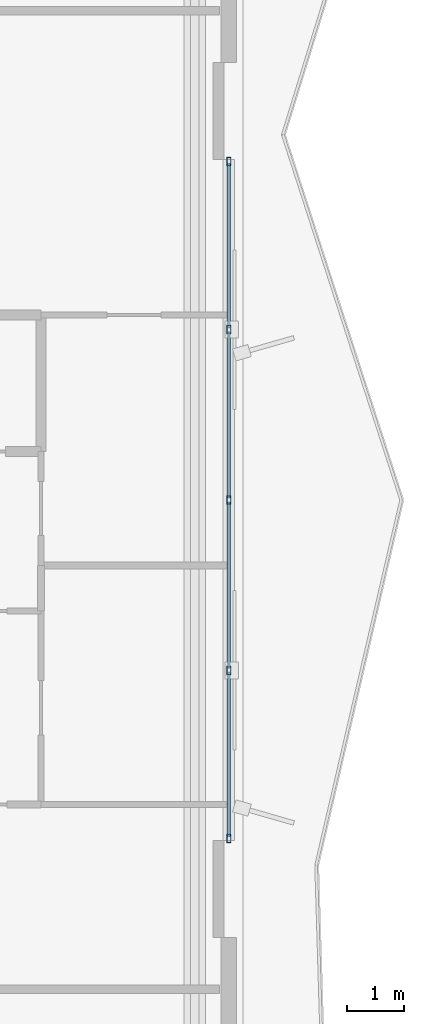
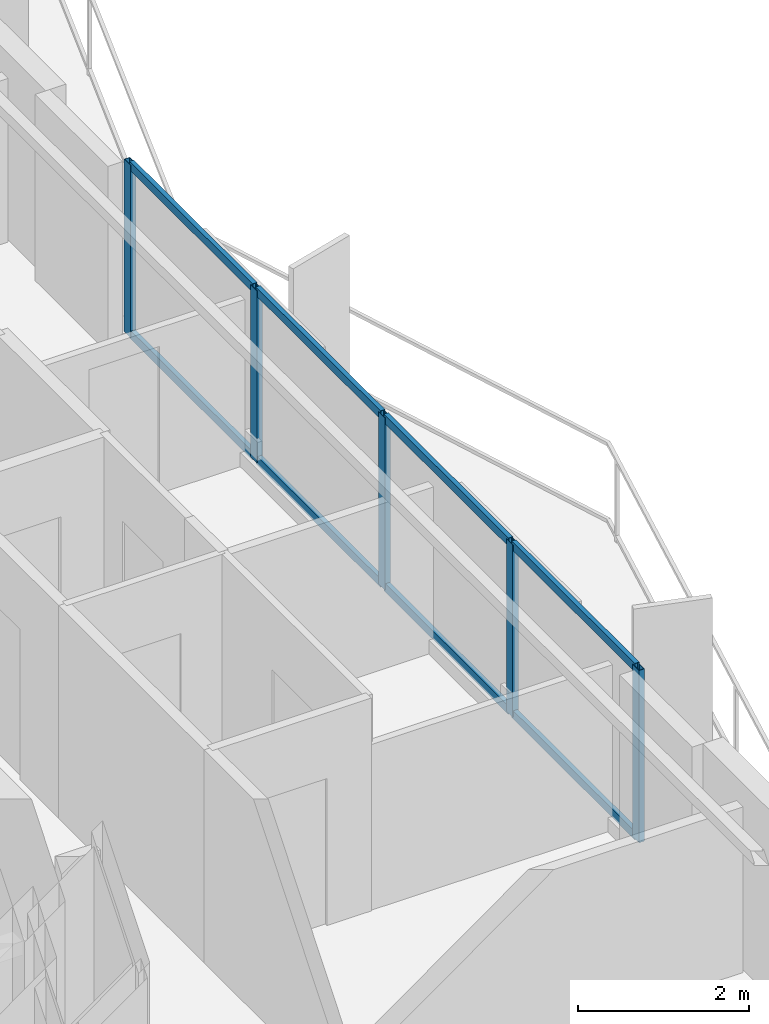
# One storey, part 6 of 19: 13 members, 1 element without a shape of its own.
"""IFC4 building model written with IfcOpenShell, lengths in metres."""

from ifc_helpers import new_model, si_unit, direction, frame, origin, origin_2d, place, context, subcontext, project, spatial, hollow_rectangle, extrude, material, layer, layer_set, material_profile, profile_set, type_object, element, aggregate, save


model = new_model("IFC4")

# Units and contexts
model_context = context("Model", 3, precision=1e-05, world=origin(), true_north=direction((0.0, 1.0)))
body_context = subcontext(model_context, "Body", "Model", "MODEL_VIEW")
ifc_project = project(units=[si_unit("LENGTHUNIT", "METRE"), si_unit("AREAUNIT", "SQUARE_METRE"), si_unit("VOLUMEUNIT", "CUBIC_METRE"), si_unit("PLANEANGLEUNIT", "RADIAN"), si_unit("MASSUNIT", "GRAM", prefix="KILO")], contexts=[model_context])

# Site, building, storey
site_placement = place(None, origin())
site = spatial("IfcSite", under=ifc_project, at=site_placement, CompositionType="ELEMENT")
building_placement = place(site_placement, origin())
building = spatial("IfcBuilding", under=site, at=building_placement, Name="Mersakhor Tower and Convention Hall", CompositionType="ELEMENT")
storey_placement = place(building_placement, frame((0.0, 0.0, 22.5)))
storey = spatial("IfcBuildingStorey", under=building, at=storey_placement, Name="L05", CompositionType="ELEMENT", Elevation=22.5)

# Curtain wall, members
ifc_material_1 = material(Name="Dark solar low-E aluminium curtain wall", Category="aluminium")
ifc_layer = layer(ifc_material_1, 0.159912109375)
ifc_layer_set = layer_set([ifc_layer], Name="Dark solar low-E aluminium curtain wall")
curtain_wall_type = type_object("IfcCurtainWallType", Name="CW-SYS-01", PredefinedType="USERDEFINED", material=ifc_layer_set)
curtain_wall_placement = place(storey_placement, origin())
curtain_wall = element("IfcCurtainWall", 1, at=curtain_wall_placement, inside=storey, type_object=curtain_wall_type, Name="L05 Dark-Glass Curtain Wall F2-B2", ObjectType="CURTAIN WALL", PredefinedType="USERDEFINED")
ifc_material_2 = material(Name="Anodised aluminium EN AW-6063 T6", Category="aluminium")
ifc_material_profile_1 = material_profile(ifc_material_2, hollow_rectangle(XDim=0.074951171875, YDim=0.14990234375, WallThickness=0.00634765625, at=origin_2d()), Name="RHS 150x75x6.3")
ifc_profile_set_1 = profile_set([ifc_material_profile_1], Name="Anodised aluminium EN AW-6063 T6")
member_type_1 = type_object("IfcMemberType", Name="CWM-150x75", PredefinedType="MULLION", material=ifc_profile_set_1)
member_1_placement = place(storey_placement, frame((43.85009765625, 32.69921875, 0.199951171875), z_axis=(0.0, 0.0, 1.0), x_axis=(1.0, 0.0, 0.0)))
member_1 = element("IfcMember", 2, at=member_1_placement, type_object=member_type_1, Name="CW-01 mullion 1", PredefinedType="MULLION", context=body_context, shape_type="SweptSolid", body=[
    extrude(hollow_rectangle(XDim=0.074951171875, YDim=0.14990234375, WallThickness=0.00634765625, at=origin_2d()), origin(), (0.0, 0.0, 1.0), 2.4599609375),
])
member_2_placement = place(storey_placement, frame((43.85009765625, 29.743408203125, 0.199951171875), z_axis=(0.0, 0.0, 1.0), x_axis=(1.0, 0.0, 0.0)))
member_2 = element("IfcMember", 3, at=member_2_placement, type_object=member_type_1, Name="CW-01 mullion 2", PredefinedType="MULLION", context=body_context, shape_type="SweptSolid", body=[
    extrude(hollow_rectangle(XDim=0.074951171875, YDim=0.14990234375, WallThickness=0.00634765625, at=origin_2d()), origin(), (0.0, 0.0, 1.0), 2.4599609375),
])
member_3_placement = place(storey_placement, frame((43.85009765625, 26.75, 0.199951171875), z_axis=(0.0, 0.0, 1.0), x_axis=(1.0, 0.0, 0.0)))
member_3 = element("IfcMember", 4, at=member_3_placement, type_object=member_type_1, Name="CW-01 mullion 3", PredefinedType="MULLION", context=body_context, shape_type="SweptSolid", body=[
    extrude(hollow_rectangle(XDim=0.074951171875, YDim=0.14990234375, WallThickness=0.00634765625, at=origin_2d()), origin(), (0.0, 0.0, 1.0), 2.4599609375),
])
member_4_placement = place(storey_placement, frame((43.85009765625, 23.756591796875, 0.199951171875), z_axis=(0.0, 0.0, 1.0), x_axis=(1.0, 0.0, 0.0)))
member_4 = element("IfcMember", 5, at=member_4_placement, type_object=member_type_1, Name="CW-01 mullion 4", PredefinedType="MULLION", context=body_context, shape_type="SweptSolid", body=[
    extrude(hollow_rectangle(XDim=0.074951171875, YDim=0.14990234375, WallThickness=0.00634765625, at=origin_2d()), origin(), (0.0, 0.0, 1.0), 2.4599609375),
])
member_5_placement = place(storey_placement, frame((43.85009765625, 20.80078125, 0.199951171875), z_axis=(0.0, 0.0, 1.0), x_axis=(1.0, 0.0, 0.0)))
member_5 = element("IfcMember", 6, at=member_5_placement, type_object=member_type_1, Name="CW-01 mullion 5", PredefinedType="MULLION", context=body_context, shape_type="SweptSolid", body=[
    extrude(hollow_rectangle(XDim=0.074951171875, YDim=0.14990234375, WallThickness=0.00634765625, at=origin_2d()), origin(), (0.0, 0.0, 1.0), 2.4599609375),
])
ifc_material_3 = material(Name="Anodised aluminium EN AW-6063 T6", Category="aluminium")
ifc_material_profile_2 = material_profile(ifc_material_3, hollow_rectangle(XDim=0.06005859375, YDim=0.1201171875, WallThickness=0.0048828125, at=origin_2d()), Name="RHS 120x60x5")
ifc_profile_set_2 = profile_set([ifc_material_profile_2], Name="Anodised aluminium EN AW-6063 T6")
member_type_2 = type_object("IfcMemberType", Name="CWT-120x60", PredefinedType="USERDEFINED", material=ifc_profile_set_2)
member_6_placement = place(storey_placement, frame((43.85009765625, 32.66162109375, 0.22998046875), z_axis=(0.0, -1.0, 0.0), x_axis=(1.0, 0.0, 0.0)))
member_6 = element("IfcMember", 7, at=member_6_placement, type_object=member_type_2, Name="CW-01 transom 1.1", ObjectType="TRANSOM", PredefinedType="USERDEFINED", context=body_context, shape_type="SweptSolid", body=[
    extrude(hollow_rectangle(XDim=0.06005859375, YDim=0.1201171875, WallThickness=0.0048828125, at=origin_2d()), origin(), (0.0, 0.0, 1.0), 2.880859375),
])
member_7_placement = place(storey_placement, frame((43.85009765625, 32.66162109375, 2.6298828125), z_axis=(0.0, -1.0, 0.0), x_axis=(1.0, 0.0, 0.0)))
member_7 = element("IfcMember", 8, at=member_7_placement, type_object=member_type_2, Name="CW-01 transom 1.2", ObjectType="TRANSOM", PredefinedType="USERDEFINED", context=body_context, shape_type="SweptSolid", body=[
    extrude(hollow_rectangle(XDim=0.06005859375, YDim=0.1201171875, WallThickness=0.0048828125, at=origin_2d()), origin(), (0.0, 0.0, 1.0), 2.880859375),
])
member_8_placement = place(storey_placement, frame((43.85009765625, 29.705810546875, 0.22998046875), z_axis=(0.0, -1.0, 0.0), x_axis=(1.0, 0.0, 0.0)))
member_8 = element("IfcMember", 9, at=member_8_placement, type_object=member_type_2, Name="CW-01 transom 2.1", ObjectType="TRANSOM", PredefinedType="USERDEFINED", context=body_context, shape_type="SweptSolid", body=[
    extrude(hollow_rectangle(XDim=0.06005859375, YDim=0.1201171875, WallThickness=0.0048828125, at=origin_2d()), origin(), (0.0, 0.0, 1.0), 2.918212890625),
])
member_9_placement = place(storey_placement, frame((43.85009765625, 29.705810546875, 2.6298828125), z_axis=(0.0, -1.0, 0.0), x_axis=(1.0, 0.0, 0.0)))
member_9 = element("IfcMember", 10, at=member_9_placement, type_object=member_type_2, Name="CW-01 transom 2.2", ObjectType="TRANSOM", PredefinedType="USERDEFINED", context=body_context, shape_type="SweptSolid", body=[
    extrude(hollow_rectangle(XDim=0.06005859375, YDim=0.1201171875, WallThickness=0.0048828125, at=origin_2d()), origin(), (0.0, 0.0, 1.0), 2.918212890625),
])
member_10_placement = place(storey_placement, frame((43.85009765625, 26.71240234375, 0.22998046875), z_axis=(0.0, -1.0, 0.0), x_axis=(1.0, 0.0, 0.0)))
member_10 = element("IfcMember", 11, at=member_10_placement, type_object=member_type_2, Name="CW-01 transom 3.1", ObjectType="TRANSOM", PredefinedType="USERDEFINED", context=body_context, shape_type="SweptSolid", body=[
    extrude(hollow_rectangle(XDim=0.06005859375, YDim=0.1201171875, WallThickness=0.0048828125, at=origin_2d()), origin(), (0.0, 0.0, 1.0), 2.918212890625),
])
member_11_placement = place(storey_placement, frame((43.85009765625, 26.71240234375, 2.6298828125), z_axis=(0.0, -1.0, 0.0), x_axis=(1.0, 0.0, 0.0)))
member_11 = element("IfcMember", 12, at=member_11_placement, type_object=member_type_2, Name="CW-01 transom 3.2", ObjectType="TRANSOM", PredefinedType="USERDEFINED", context=body_context, shape_type="SweptSolid", body=[
    extrude(hollow_rectangle(XDim=0.06005859375, YDim=0.1201171875, WallThickness=0.0048828125, at=origin_2d()), origin(), (0.0, 0.0, 1.0), 2.918212890625),
])
member_12_placement = place(storey_placement, frame((43.85009765625, 23.71923828125, 0.22998046875), z_axis=(0.0, -1.0, 0.0), x_axis=(1.0, 0.0, 0.0)))
member_12 = element("IfcMember", 13, at=member_12_placement, type_object=member_type_2, Name="CW-01 transom 4.1", ObjectType="TRANSOM", PredefinedType="USERDEFINED", context=body_context, shape_type="SweptSolid", body=[
    extrude(hollow_rectangle(XDim=0.06005859375, YDim=0.1201171875, WallThickness=0.0048828125, at=origin_2d()), origin(), (0.0, 0.0, 1.0), 2.880859375),
])
member_13_placement = place(storey_placement, frame((43.85009765625, 23.71923828125, 2.6298828125), z_axis=(0.0, -1.0, 0.0), x_axis=(1.0, 0.0, 0.0)))
member_13 = element("IfcMember", 14, at=member_13_placement, type_object=member_type_2, Name="CW-01 transom 4.2", ObjectType="TRANSOM", PredefinedType="USERDEFINED", context=body_context, shape_type="SweptSolid", body=[
    extrude(hollow_rectangle(XDim=0.06005859375, YDim=0.1201171875, WallThickness=0.0048828125, at=origin_2d()), origin(), (0.0, 0.0, 1.0), 2.880859375),
])
aggregate(curtain_wall, [member_1, member_2, member_3, member_4, member_5, member_6, member_7, member_8, member_9, member_10, member_11, member_12, member_13])

save(model, "model.ifc")
